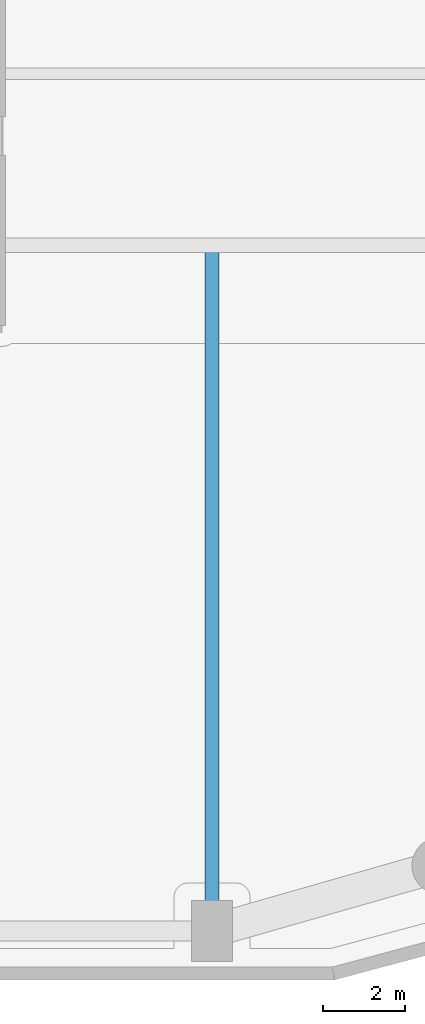
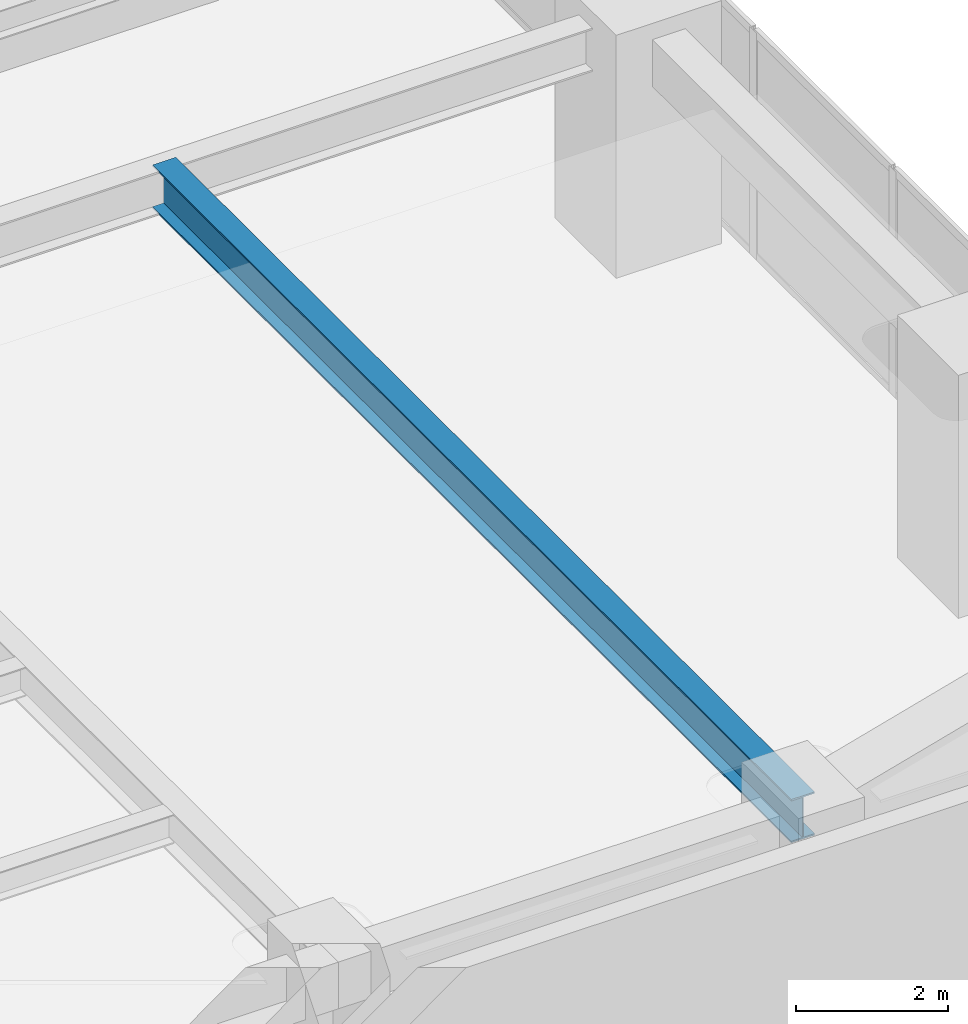
# One storey, part 5 of 29: 1 beam.
"""IFC4 building model written with IfcOpenShell, lengths in metres."""

from ifc_helpers import new_model, si_unit, direction, frame, origin, origin_2d, place, context, subcontext, project, spatial, i_section, extrude, material, material_profile, profile_set, type_object, element, save


model = new_model("IFC4")

# Units and contexts
model_context = context("Model", 3, precision=1e-05, world=origin(), true_north=direction((0.0, 1.0)))
body_context = subcontext(model_context, "Body", "Model", "MODEL_VIEW")
ifc_project = project(units=[si_unit("LENGTHUNIT", "METRE"), si_unit("AREAUNIT", "SQUARE_METRE"), si_unit("VOLUMEUNIT", "CUBIC_METRE"), si_unit("PLANEANGLEUNIT", "RADIAN"), si_unit("MASSUNIT", "GRAM", prefix="KILO")], contexts=[model_context])

# Site, building, storey
site_placement = place(None, origin())
site = spatial("IfcSite", under=ifc_project, at=site_placement, CompositionType="ELEMENT")
building_placement = place(site_placement, origin())
building = spatial("IfcBuilding", under=site, at=building_placement, Name="Kiyonajd Concourse Tower", CompositionType="ELEMENT")
storey_placement = place(building_placement, frame((0.0, 0.0, 29.39990234375)))
storey = spatial("IfcBuildingStorey", under=building, at=storey_placement, Name="L08", CompositionType="ELEMENT", Elevation=29.39990234375)

# Beam
ifc_material = material(Name="Steel ASTM A992 Grade 50", Category="steel")
ifc_material_profile = material_profile(ifc_material, i_section(OverallWidth=0.35498046875, OverallDepth=0.695068359375, WebThickness=0.015380859375, FlangeThickness=0.02490234375, at=origin_2d()), Name="W690X217")
ifc_profile_set = profile_set([ifc_material_profile], Name="Steel ASTM A992 Grade 50")
beam_type = type_object("IfcBeamType", Name="BM-TWR-690", PredefinedType="BEAM", material=ifc_profile_set)
beam_placement = place(storey_placement, frame((70.800048828125, 10.800048828125, 3.29248046875), z_axis=(0.0, 1.0, 0.0), x_axis=(-1.0, 0.0, 0.0)))
element("IfcBeam", 1, at=beam_placement, inside=storey, type_object=beam_type, Name="L08 South Lease Girder", PredefinedType="BEAM", context=body_context, shape_type="SweptSolid", body=[
    extrude(i_section(OverallWidth=0.35498046875, OverallDepth=0.695068359375, WebThickness=0.015380859375, FlangeThickness=0.02490234375, at=origin_2d()), origin(), (0.0, 0.0, 1.0), 16.800048828125),
])

save(model, "model.ifc")
